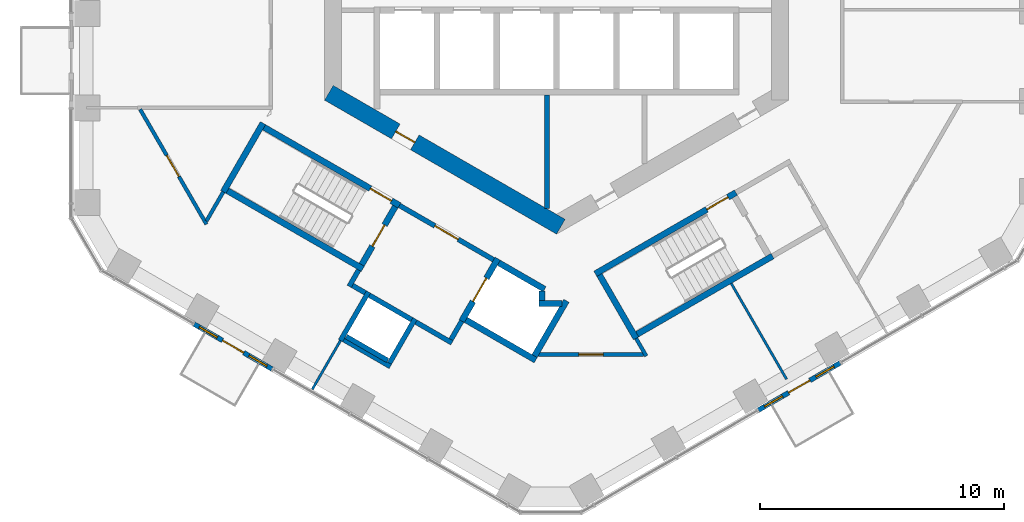
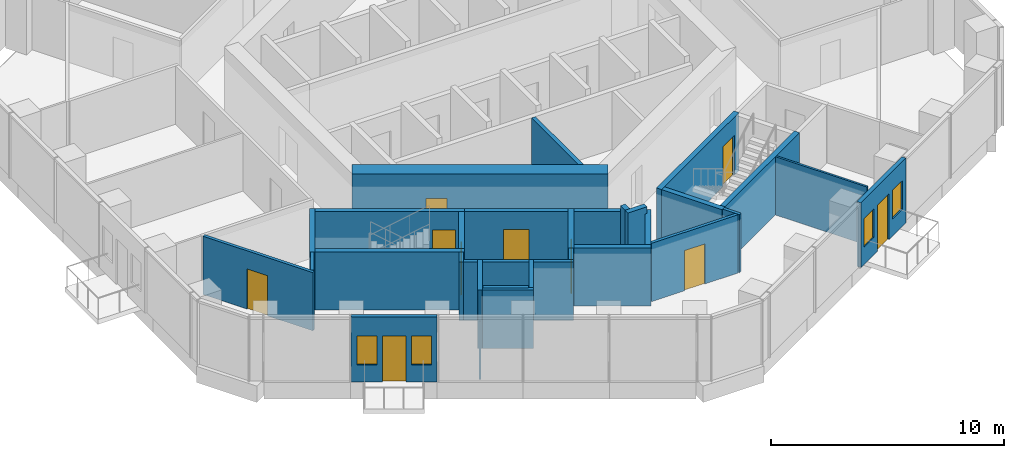
# One storey, part 13 of 20: 33 walls, 10 doors, 4 windows, 14 openings.
"""IFC4 building model written with IfcOpenShell, lengths in metres."""

from ifc_helpers import new_model, si_unit, direction, frame, frame_2d, origin, place, context, subcontext, project, spatial, rectangle, extrude, material, layer, layer_set, type_object, element, fill, save


model = new_model("IFC4")

# Units and contexts
model_context = context("Model", 3, precision=1e-05, world=origin(), true_north=direction((0.0, 1.0)))
body_context = subcontext(model_context, "Body", "Model", "MODEL_VIEW")
ifc_project = project(units=[si_unit("LENGTHUNIT", "METRE"), si_unit("AREAUNIT", "SQUARE_METRE"), si_unit("VOLUMEUNIT", "CUBIC_METRE"), si_unit("PLANEANGLEUNIT", "RADIAN"), si_unit("MASSUNIT", "GRAM", prefix="KILO")], contexts=[model_context])

# Site, building, storey
site_placement = place(None, origin())
site = spatial("IfcSite", under=ifc_project, at=site_placement, CompositionType="ELEMENT")
building_placement = place(site_placement, origin())
building = spatial("IfcBuilding", under=site, at=building_placement, Name="Ayvan Gate Tower", CompositionType="ELEMENT")
storey_placement = place(building_placement, frame((0.0, 0.0, 96.699951171875)))
storey = spatial("IfcBuildingStorey", under=building, at=storey_placement, Name="L25", CompositionType="ELEMENT", Elevation=96.699951171875)

# Wall, openings, door, windows
ifc_material_1 = material(Name="Insulated metal panel wall")
ifc_layer_1 = layer(ifc_material_1, 0.199951171875)
ifc_layer_set_1 = layer_set([ifc_layer_1], Name="Insulated metal panel wall")
wall_type_1 = type_object("IfcWallType", Name="Balcony door wall 200", PredefinedType="SOLIDWALL", material=ifc_layer_set_1)
wall_1_placement = place(storey_placement, frame((-14.841064453125, -14.6533203125, 0.0), z_axis=(0.0, 0.0, 1.0), x_axis=(0.866048742478, -0.499959574017, 0.0)))
wall_1 = element("IfcWall", 1, at=wall_1_placement, inside=storey, type_object=wall_type_1, Name="EW:L25:4:1", PredefinedType="SOLIDWALL", context=body_context, shape_type="SweptSolid", body=[
    extrude(rectangle(XDim=3.683837890625, YDim=0.199951171875, at=frame_2d((1.841796875, 0.0))), origin(), (0.0, 0.0, 1.0), 3.400146484375),
])
opening_1_placement = place(wall_1_placement, frame((1.342041015625, 0.0, 0.0)))
opening_1 = element("IfcOpeningElement", 2, at=opening_1_placement, cuts=wall_1, Name="Opening L25-D94", PredefinedType="OPENING", context=body_context, shape_type="SweptSolid", body=[
    extrude(rectangle(XDim=1.0, YDim=2.39990234375, at=frame_2d((0.5, 1.199951171875))), frame((0.0, 0.10986328125, 0.0), z_axis=(0.0, -1.0, 0.0), x_axis=(1.0, 0.0, 0.0)), (0.0, 0.0, 1.0), 0.219970703125),
])
opening_2_placement = place(wall_1_placement, frame((0.24609375, 0.0, 0.89990234375)))
opening_2 = element("IfcOpeningElement", 3, at=opening_2_placement, cuts=wall_1, Name="Opening W-B2", PredefinedType="OPENING", context=body_context, shape_type="SweptSolid", body=[
    extrude(rectangle(XDim=0.85009765625, YDim=1.5, at=frame_2d((0.425048828125, 0.75))), frame((0.0, 0.10986328125, 0.0), z_axis=(0.0, -1.0, 0.0), x_axis=(1.0, 0.0, 0.0)), (0.0, 0.0, 1.0), 0.219970703125),
])
opening_3_placement = place(wall_1_placement, frame((2.587890625, 0.0, 0.89990234375)))
opening_3 = element("IfcOpeningElement", 4, at=opening_3_placement, cuts=wall_1, Name="Opening W-B2", PredefinedType="OPENING", context=body_context, shape_type="SweptSolid", body=[
    extrude(rectangle(XDim=0.85009765625, YDim=1.5, at=frame_2d((0.425048828125, 0.75))), frame((0.0, 0.10986328125, 0.0), z_axis=(0.0, -1.0, 0.0), x_axis=(1.0, 0.0, 0.0)), (0.0, 0.0, 1.0), 0.219970703125),
])
ifc_material_2 = material(Name="Bronze anodised aluminium and clear glass", Category="aluminium")
door_type_1 = type_object("IfcDoorType", Name="Balcony door D-B", OperationType="SINGLE_SWING_RIGHT", PredefinedType="DOOR", material=ifc_material_2)
door_1_placement = place(opening_1_placement, origin())
door_1 = element("IfcDoor", 5, at=door_1_placement, inside=storey, type_object=door_type_1, Name="Balcony door BAL-L25-4", OperationType="SINGLE_SWING_RIGHT", OverallHeight=2.39990234375, OverallWidth=1.0, PredefinedType="DOOR", context=body_context, shape_type="SweptSolid", body=[
    extrude(rectangle(XDim=1.0, YDim=2.39990234375, at=frame_2d((0.5, 1.199951171875))), frame((0.0, 0.02490234375, 0.0), z_axis=(0.0, -1.0, 0.0), x_axis=(1.0, 0.0, 0.0)), (0.0, 0.0, 1.0), 0.050048828125),
])
fill(opening_1, door_1)
window_type = type_object("IfcWindowType", Name="Balcony side light W-B Z2", PartitioningType="SINGLE_PANEL", PredefinedType="WINDOW", material=ifc_material_2)
window_1_placement = place(opening_2_placement, origin())
window_1 = element("IfcWindow", 6, at=window_1_placement, inside=storey, type_object=window_type, Name="Balcony side light BAL-L25-4.1", OverallHeight=1.5, OverallWidth=0.85009765625, PartitioningType="SINGLE_PANEL", PredefinedType="WINDOW", context=body_context, shape_type="SweptSolid", body=[
    extrude(rectangle(XDim=0.85009765625, YDim=1.5, at=frame_2d((0.425048828125, 0.75))), frame((0.0, 0.030029296875, 0.0), z_axis=(0.0, -1.0, 0.0), x_axis=(1.0, 0.0, 0.0)), (0.0, 0.0, 1.0), 0.06005859375),
])
fill(opening_2, window_1)
window_2_placement = place(opening_3_placement, origin())
window_2 = element("IfcWindow", 7, at=window_2_placement, inside=storey, type_object=window_type, Name="Balcony side light BAL-L25-4.2", OverallHeight=1.5, OverallWidth=0.85009765625, PartitioningType="SINGLE_PANEL", PredefinedType="WINDOW", context=body_context, shape_type="SweptSolid", body=[
    extrude(rectangle(XDim=0.85009765625, YDim=1.5, at=frame_2d((0.425048828125, 0.75))), frame((0.0, 0.030029296875, 0.0), z_axis=(0.0, -1.0, 0.0), x_axis=(1.0, 0.0, 0.0)), (0.0, 0.0, 1.0), 0.06005859375),
])
fill(opening_3, window_2)

wall_2_placement = place(storey_placement, frame((8.261474609375, -18.177734375, 0.0), z_axis=(0.0, 0.0, 1.0), x_axis=(0.866040571269, 0.499973728225, 0.0)))
wall_2 = element("IfcWall", 8, at=wall_2_placement, inside=storey, type_object=wall_type_1, Name="EW:L25:5:2", PredefinedType="SOLIDWALL", context=body_context, shape_type="SweptSolid", body=[
    extrude(rectangle(XDim=3.868896484375, YDim=0.199951171875, at=frame_2d((1.9345703125, 0.0))), origin(), (0.0, 0.0, 1.0), 3.400146484375),
])
opening_4_placement = place(wall_2_placement, frame((1.4345703125, 0.0, 0.0)))
opening_4 = element("IfcOpeningElement", 9, at=opening_4_placement, cuts=wall_2, Name="Opening L25-D95", PredefinedType="OPENING", context=body_context, shape_type="SweptSolid", body=[
    extrude(rectangle(XDim=1.0, YDim=2.39990234375, at=frame_2d((0.5, 1.199951171875))), frame((0.0, 0.10986328125, 0.0), z_axis=(0.0, -1.0, 0.0), x_axis=(1.0, 0.0, 0.0)), (0.0, 0.0, 1.0), 0.219970703125),
])
opening_5_placement = place(wall_2_placement, frame((0.292236328125, 0.0, 0.89990234375)))
opening_5 = element("IfcOpeningElement", 10, at=opening_5_placement, cuts=wall_2, Name="Opening W-B2", PredefinedType="OPENING", context=body_context, shape_type="SweptSolid", body=[
    extrude(rectangle(XDim=0.85009765625, YDim=1.5, at=frame_2d((0.425048828125, 0.75))), frame((0.0, 0.10986328125, 0.0), z_axis=(0.0, -1.0, 0.0), x_axis=(1.0, 0.0, 0.0)), (0.0, 0.0, 1.0), 0.219970703125),
])
opening_6_placement = place(wall_2_placement, frame((2.726806640625, 0.0, 0.89990234375)))
opening_6 = element("IfcOpeningElement", 11, at=opening_6_placement, cuts=wall_2, Name="Opening W-B2", PredefinedType="OPENING", context=body_context, shape_type="SweptSolid", body=[
    extrude(rectangle(XDim=0.85009765625, YDim=1.5, at=frame_2d((0.425048828125, 0.75))), frame((0.0, 0.10986328125, 0.0), z_axis=(0.0, -1.0, 0.0), x_axis=(1.0, 0.0, 0.0)), (0.0, 0.0, 1.0), 0.219970703125),
])
door_2_placement = place(opening_4_placement, origin())
door_2 = element("IfcDoor", 12, at=door_2_placement, inside=storey, type_object=door_type_1, Name="Balcony door BAL-L25-5", OperationType="SINGLE_SWING_RIGHT", OverallHeight=2.39990234375, OverallWidth=1.0, PredefinedType="DOOR", context=body_context, shape_type="SweptSolid", body=[
    extrude(rectangle(XDim=1.0, YDim=2.39990234375, at=frame_2d((0.5, 1.199951171875))), frame((0.0, 0.02490234375, 0.0), z_axis=(0.0, -1.0, 0.0), x_axis=(1.0, 0.0, 0.0)), (0.0, 0.0, 1.0), 0.050048828125),
])
fill(opening_4, door_2)
window_3_placement = place(opening_5_placement, origin())
window_3 = element("IfcWindow", 13, at=window_3_placement, inside=storey, type_object=window_type, Name="Balcony side light BAL-L25-5.1", OverallHeight=1.5, OverallWidth=0.85009765625, PartitioningType="SINGLE_PANEL", PredefinedType="WINDOW", context=body_context, shape_type="SweptSolid", body=[
    extrude(rectangle(XDim=0.85009765625, YDim=1.5, at=frame_2d((0.425048828125, 0.75))), frame((0.0, 0.030029296875, 0.0), z_axis=(0.0, -1.0, 0.0), x_axis=(1.0, 0.0, 0.0)), (0.0, 0.0, 1.0), 0.06005859375),
])
fill(opening_5, window_3)
window_4_placement = place(opening_6_placement, origin())
window_4 = element("IfcWindow", 14, at=window_4_placement, inside=storey, type_object=window_type, Name="Balcony side light BAL-L25-5.2", OverallHeight=1.5, OverallWidth=0.85009765625, PartitioningType="SINGLE_PANEL", PredefinedType="WINDOW", context=body_context, shape_type="SweptSolid", body=[
    extrude(rectangle(XDim=0.85009765625, YDim=1.5, at=frame_2d((0.425048828125, 0.75))), frame((0.0, 0.030029296875, 0.0), z_axis=(0.0, -1.0, 0.0), x_axis=(1.0, 0.0, 0.0)), (0.0, 0.0, 1.0), 0.06005859375),
])
fill(opening_6, window_4)

# Wall, opening, door
ifc_material_3 = material(Name="Concrete C70/85", Category="concrete")
ifc_layer_2 = layer(ifc_material_3, 0.699951171875)
ifc_layer_set_2 = layer_set([ifc_layer_2], Name="Concrete C70/85")
wall_type_2 = type_object("IfcWallType", Name="Core wall 700 C70/85", PredefinedType="SHEAR", material=ifc_layer_set_2)
wall_3_placement = place(storey_placement, frame((-9.324951171875, -5.181640625, 0.0), z_axis=(0.0, 0.0, 1.0), x_axis=(0.866023993627, -0.500002442456, 0.0)))
wall_3 = element("IfcWall", 15, at=wall_3_placement, inside=storey, type_object=wall_type_2, Name="CORE-L25-4", PredefinedType="SHEAR", context=body_context, shape_type="SweptSolid", body=[
    extrude(rectangle(XDim=10.9697265625, YDim=0.699951171875, at=frame_2d((5.48486328125, 0.0))), origin(), (0.0, 0.0, 1.0), 3.400146484375),
])
opening_7_placement = place(wall_3_placement, frame((3.16357421875, 0.0, 0.0)))
opening_7 = element("IfcOpeningElement", 16, at=opening_7_placement, cuts=wall_3, Name="Opening L25-D99", PredefinedType="OPENING", context=body_context, shape_type="SweptSolid", body=[
    extrude(rectangle(XDim=0.89990234375, YDim=2.10009765625, at=frame_2d((0.449951171875, 1.050048828125))), frame((0.0, 0.35986328125, 0.0), z_axis=(0.0, -1.0, 0.0), x_axis=(1.0, 0.0, 0.0)), (0.0, 0.0, 1.0), 0.719970703125),
])
ifc_material_4 = material(Name="Timber door leaf", Category="wood")
door_type_2 = type_object("IfcDoorType", Name="DT-900", OperationType="NOTDEFINED", PredefinedType="DOOR", material=ifc_material_4)
door_3_placement = place(opening_7_placement, origin())
door_3 = element("IfcDoor", 17, at=door_3_placement, inside=storey, type_object=door_type_2, Name="CD-L25-99", OperationType="SINGLE_SWING_RIGHT", OverallHeight=2.10009765625, OverallWidth=0.89990234375, PredefinedType="DOOR", context=body_context, shape_type="SweptSolid", body=[
    extrude(rectangle(XDim=0.89990234375, YDim=2.10009765625, at=frame_2d((0.449951171875, 1.050048828125))), frame((0.0, 0.02490234375, 0.0), z_axis=(0.0, -1.0, 0.0), x_axis=(1.0, 0.0, 0.0)), (0.0, 0.0, 1.0), 0.050048828125),
])
fill(opening_7, door_3)

ifc_material_5 = material(Name="Plasterboard on steel stud", Category="steel")
ifc_layer_3 = layer(ifc_material_5, 0.14990234375)
ifc_layer_set_3 = layer_set([ifc_layer_3], Name="Plasterboard on steel stud")
wall_type_3 = type_object("IfcWallType", Name="WT-CORR-150", PredefinedType="PARTITIONING", material=ifc_layer_set_3)
wall_4_placement = place(storey_placement, frame((-14.337890625, -10.563720703125, 0.0), z_axis=(0.0, 0.0, 1.0), x_axis=(-0.499985629884, 0.866033700216, 0.0)))
wall_4 = element("IfcWall", 18, at=wall_4_placement, inside=storey, type_object=wall_type_3, Name="IW-L25-005", PredefinedType="PARTITIONING", context=body_context, shape_type="SweptSolid", body=[
    extrude(rectangle(XDim=5.433837890625, YDim=0.14990234375, at=frame_2d((2.716796875, 0.0))), origin(), (0.0, 0.0, 1.0), 3.050048828125),
])
opening_8_placement = place(wall_4_placement, frame((2.25439453125, 0.0, 0.0)))
opening_8 = element("IfcOpeningElement", 19, at=opening_8_placement, cuts=wall_4, Name="Opening L25-D25", PredefinedType="OPENING", context=body_context, shape_type="SweptSolid", body=[
    extrude(rectangle(XDim=1.0, YDim=2.10009765625, at=frame_2d((0.5, 1.050048828125))), frame((0.0, 0.0849609375, 0.0), z_axis=(0.0, -1.0, 0.0), x_axis=(1.0, 0.0, 0.0)), (0.0, 0.0, 1.0), 0.169921875),
])
door_type_3 = type_object("IfcDoorType", Name="DT-1000", OperationType="NOTDEFINED", PredefinedType="DOOR", material=ifc_material_4)
door_4_placement = place(opening_8_placement, origin())
door_4 = element("IfcDoor", 20, at=door_4_placement, inside=storey, type_object=door_type_3, Name="ID-L25-025", OperationType="SINGLE_SWING_RIGHT", OverallHeight=2.10009765625, OverallWidth=1.0, PredefinedType="DOOR", context=body_context, shape_type="SweptSolid", body=[
    extrude(rectangle(XDim=1.0, YDim=2.10009765625, at=frame_2d((0.5, 1.050048828125))), frame((0.0, 0.02490234375, 0.0), z_axis=(0.0, -1.0, 0.0), x_axis=(1.0, 0.0, 0.0)), (0.0, 0.0, 1.0), 0.050048828125),
])
fill(opening_8, door_4)

# Walls
wall_5_placement = place(storey_placement, frame((-13.647705078125, -9.23876953125, 0.0), z_axis=(0.0, 0.0, 1.0), x_axis=(-0.500115484592, -0.865958718457, 0.0)))
element("IfcWall", 21, at=wall_5_placement, inside=storey, type_object=wall_type_3, Name="IW-L25-007", PredefinedType="PARTITIONING", context=body_context, shape_type="SweptSolid", body=[
    extrude(rectangle(XDim=1.380126953125, YDim=0.14990234375, at=frame_2d((0.68994140625, 0.0))), origin(), (0.0, 0.0, 1.0), 3.050048828125),
])
wall_6_placement = place(storey_placement, frame((3.255615234375, -15.23876953125, 0.0), z_axis=(0.0, 0.0, 1.0), x_axis=(0.499840262897, -0.866117608404, 0.0)))
element("IfcWall", 22, at=wall_6_placement, inside=storey, type_object=wall_type_3, Name="IW-L25-064", PredefinedType="PARTITIONING", context=body_context, shape_type="SweptSolid", body=[
    extrude(rectangle(XDim=0.837158203125, YDim=0.14990234375, at=frame_2d((0.41845703125, 0.0))), origin(), (0.0, 0.0, 1.0), 3.050048828125),
])

# Wall, opening, door
wall_7_placement = place(storey_placement, frame((3.5615234375, -15.898681640625, 0.0), z_axis=(0.0, 0.0, 1.0), x_axis=(-1.0, 0.0, 0.0)))
wall_7 = element("IfcWall", 23, at=wall_7_placement, inside=storey, type_object=wall_type_3, Name="IW-L25-068", PredefinedType="PARTITIONING", context=body_context, shape_type="SweptSolid", body=[
    extrude(rectangle(XDim=4.302001953125, YDim=0.14990234375, at=frame_2d((2.15087890625, 0.0))), origin(), (0.0, 0.0, 1.0), 3.050048828125),
])
opening_9_placement = place(wall_7_placement, frame((1.65087890625, 0.0, 0.0)))
opening_9 = element("IfcOpeningElement", 24, at=opening_9_placement, cuts=wall_7, Name="Opening L25-D26", PredefinedType="OPENING", context=body_context, shape_type="SweptSolid", body=[
    extrude(rectangle(XDim=1.0, YDim=2.10009765625, at=frame_2d((0.5, 1.050048828125))), frame((0.0, 0.0849609375, 0.0), z_axis=(0.0, -1.0, 0.0), x_axis=(1.0, 0.0, 0.0)), (0.0, 0.0, 1.0), 0.169921875),
])
door_5_placement = place(opening_9_placement, origin())
door_5 = element("IfcDoor", 25, at=door_5_placement, inside=storey, type_object=door_type_3, Name="ID-L25-026", OperationType="SINGLE_SWING_LEFT", OverallHeight=2.10009765625, OverallWidth=1.0, PredefinedType="DOOR", context=body_context, shape_type="SweptSolid", body=[
    extrude(rectangle(XDim=1.0, YDim=2.10009765625, at=frame_2d((0.5, 1.050048828125))), frame((0.0, 0.02490234375, 0.0), z_axis=(0.0, -1.0, 0.0), x_axis=(1.0, 0.0, 0.0)), (0.0, 0.0, 1.0), 0.050048828125),
])
fill(opening_9, door_5)

# Walls
ifc_layer_4 = layer(ifc_material_5, 0.10009765625)
ifc_layer_set_4 = layer_set([ifc_layer_4], Name="Plasterboard on steel stud")
wall_type_4 = type_object("IfcWallType", Name="WT-PART-100", PredefinedType="PARTITIONING", material=ifc_layer_set_4)
wall_8_placement = place(storey_placement, frame((-8.85009765625, -15.32861328125, 0.0), z_axis=(0.0, 0.0, 1.0), x_axis=(-0.500009533716, -0.866019899421, 0.0)))
element("IfcWall", 26, at=wall_8_placement, inside=storey, type_object=wall_type_4, Name="IW-L25-016", PredefinedType="PARTITIONING", context=body_context, shape_type="SweptSolid", body=[
    extrude(rectangle(XDim=2.306640625, YDim=0.10009765625, at=frame_2d((1.1533203125, 0.0))), origin(), (0.0, 0.0, 1.0), 3.050048828125),
])
wall_9_placement = place(storey_placement, frame((7.152587890625, -12.98876953125, 0.0), z_axis=(0.0, 0.0, 1.0), x_axis=(0.500000914898, -0.866024875567, 0.0)))
element("IfcWall", 27, at=wall_9_placement, inside=storey, type_object=wall_type_4, Name="IW-L25-076", PredefinedType="PARTITIONING", context=body_context, shape_type="SweptSolid", body=[
    extrude(rectangle(XDim=4.5283203125, YDim=0.10009765625, at=frame_2d((2.26416015625, 0.0))), origin(), (0.0, 0.0, 1.0), 3.050048828125),
])
ifc_layer_5 = layer(ifc_material_5, 0.199951171875)
ifc_layer_set_5 = layer_set([ifc_layer_5], Name="Plasterboard on steel stud")
wall_type_5 = type_object("IfcWallType", Name="WT-PLUMB-200", PredefinedType="PLUMBINGWALL", material=ifc_layer_set_5)
wall_10_placement = place(storey_placement, frame((-8.85009765625, -15.32861328125, 0.0), z_axis=(0.0, 0.0, 1.0), x_axis=(0.500077740698, 0.865980515519, 0.0)))
element("IfcWall", 28, at=wall_10_placement, inside=storey, type_object=wall_type_5, Name="IW-L25-014", PredefinedType="PLUMBINGWALL", context=body_context, shape_type="SweptSolid", body=[
    extrude(rectangle(XDim=2.300048828125, YDim=0.199951171875, at=frame_2d((1.14990234375, 0.0))), origin(), (0.0, 0.0, 1.0), 3.050048828125),
])
wall_11_placement = place(storey_placement, frame((-6.80810546875, -16.39208984375, 0.0), z_axis=(0.0, 0.0, 1.0), x_axis=(-0.866008176907, 0.50002983664, 0.0)))
element("IfcWall", 29, at=wall_11_placement, inside=storey, type_object=wall_type_5, Name="IW-L25-026", PredefinedType="PLUMBINGWALL", context=body_context, shape_type="SweptSolid", body=[
    extrude(rectangle(XDim=2.199951171875, YDim=0.199951171875, at=frame_2d((1.10009765625, 0.0))), origin(), (0.0, 0.0, 1.0), 3.050048828125),
])
wall_12_placement = place(storey_placement, frame((-5.794677734375, -14.436767578125, 0.0), z_axis=(0.0, 0.0, 1.0), x_axis=(-0.500027713859, -0.866009402589, 0.0)))
element("IfcWall", 30, at=wall_12_placement, inside=storey, type_object=wall_type_5, Name="IW-L25-029", PredefinedType="PLUMBINGWALL", context=body_context, shape_type="SweptSolid", body=[
    extrude(rectangle(XDim=2.10009765625, YDim=0.199951171875, at=frame_2d((1.050048828125, 0.0))), origin(), (0.0, 0.0, 1.0), 3.050048828125),
])
wall_13_placement = place(storey_placement, frame((-5.931396484375, -14.473388671875, 0.0), z_axis=(0.0, 0.0, 1.0), x_axis=(-0.866041268327, 0.499972520799, 0.0)))
element("IfcWall", 31, at=wall_13_placement, inside=storey, type_object=wall_type_5, Name="IW-L25-030", PredefinedType="PLUMBINGWALL", context=body_context, shape_type="SweptSolid", body=[
    extrude(rectangle(XDim=2.0, YDim=0.199951171875, at=frame_2d((1.0, 0.0))), origin(), (0.0, 0.0, 1.0), 3.050048828125),
])
wall_14_placement = place(storey_placement, frame((-6.919189453125, -16.144287109375, 0.0), z_axis=(0.0, 0.0, 1.0), x_axis=(-0.866042469362, 0.499970440388, 0.0)))
element("IfcWall", 32, at=wall_14_placement, inside=storey, type_object=wall_type_5, Name="IW-L25-107", PredefinedType="PLUMBINGWALL", context=body_context, shape_type="SweptSolid", body=[
    extrude(rectangle(XDim=1.9599609375, YDim=0.199951171875, at=frame_2d((0.97998046875, 0.0))), origin(), (0.0, 0.0, 1.0), 3.050048828125),
])
ifc_layer_6 = layer(ifc_material_5, 0.199951171875)
ifc_layer_set_6 = layer_set([ifc_layer_6], Name="Plasterboard on steel stud")
wall_type_6 = type_object("IfcWallType", Name="WT-RATED-200", PredefinedType="PARTITIONING", material=ifc_layer_set_6)
wall_15_placement = place(storey_placement, frame((-8.492919921875, -13.110107421875, 0.0), z_axis=(0.0, 0.0, 1.0), x_axis=(0.500067724834, 0.865986299303, 0.0)))
element("IfcWall", 33, at=wall_15_placement, inside=storey, type_object=wall_type_6, Name="IW-L25-017", PredefinedType="PARTITIONING", context=body_context, shape_type="SweptSolid", body=[
    extrude(rectangle(XDim=0.775390625, YDim=0.199951171875, at=frame_2d((0.3876953125, 0.0))), origin(), (0.0, 0.0, 1.0), 3.050048828125),
])
wall_16_placement = place(storey_placement, frame((-7.83642578125, -13.373291015625, 0.0), z_axis=(0.0, 0.0, 1.0), x_axis=(-0.866232998003, 0.499640263761, 0.0)))
element("IfcWall", 34, at=wall_16_placement, inside=storey, type_object=wall_type_6, Name="IW-L25-019", PredefinedType="PARTITIONING", context=body_context, shape_type="SweptSolid", body=[
    extrude(rectangle(XDim=0.60009765625, YDim=0.199951171875, at=frame_2d((0.300048828125, 0.0))), origin(), (0.0, 0.0, 1.0), 3.050048828125),
])

# Wall, opening, door
wall_17_placement = place(storey_placement, frame((-6.4345703125, -9.794921875, 0.0), z_axis=(0.0, 0.0, 1.0), x_axis=(0.866012907634, -0.500021643343, 0.0)))
wall_17 = element("IfcWall", 35, at=wall_17_placement, inside=storey, type_object=wall_type_6, Name="IW-L25-028", PredefinedType="PARTITIONING", context=body_context, shape_type="SweptSolid", body=[
    extrude(rectangle(XDim=4.449951171875, YDim=0.199951171875, at=frame_2d((2.22509765625, 0.0))), origin(), (0.0, 0.0, 1.0), 3.050048828125),
])
opening_10_placement = place(wall_17_placement, frame((1.675048828125, 0.0, 0.0)))
opening_10 = element("IfcOpeningElement", 36, at=opening_10_placement, cuts=wall_17, Name="Opening L25-D12", PredefinedType="OPENING", context=body_context, shape_type="SweptSolid", body=[
    extrude(rectangle(XDim=1.10009765625, YDim=2.10009765625, at=frame_2d((0.550048828125, 1.050048828125))), frame((0.0, 0.10986328125, 0.0), z_axis=(0.0, -1.0, 0.0), x_axis=(1.0, 0.0, 0.0)), (0.0, 0.0, 1.0), 0.219970703125),
])
door_type_4 = type_object("IfcDoorType", Name="DT-1100", OperationType="NOTDEFINED", PredefinedType="DOOR", material=ifc_material_4)
door_6_placement = place(opening_10_placement, origin())
door_6 = element("IfcDoor", 37, at=door_6_placement, inside=storey, type_object=door_type_4, Name="ID-L25-012", OperationType="SINGLE_SWING_LEFT", OverallHeight=2.10009765625, OverallWidth=1.10009765625, PredefinedType="DOOR", context=body_context, shape_type="SweptSolid", body=[
    extrude(rectangle(XDim=1.10009765625, YDim=2.10009765625, at=frame_2d((0.550048828125, 1.050048828125))), frame((0.0, 0.02490234375, 0.0), z_axis=(0.0, -1.0, 0.0), x_axis=(1.0, 0.0, 0.0)), (0.0, 0.0, 1.0), 0.050048828125),
])
fill(opening_10, door_6)

# Walls
wall_18_placement = place(storey_placement, frame((-4.285888671875, -15.42333984375, 0.0), z_axis=(0.0, 0.0, 1.0), x_axis=(-0.866025371046, 0.500000056704, 0.0)))
element("IfcWall", 38, at=wall_18_placement, inside=storey, type_object=wall_type_6, Name="IW-L25-035", PredefinedType="PARTITIONING", context=body_context, shape_type="SweptSolid", body=[
    extrude(rectangle(XDim=1.7001953125, YDim=0.199951171875, at=frame_2d((0.85009765625, 0.0))), origin(), (0.0, 0.0, 1.0), 3.050048828125),
])
wall_19_placement = place(storey_placement, frame((-3.885009765625, -14.52880859375, 0.0), z_axis=(0.0, 0.0, 1.0), x_axis=(-0.499859285417, -0.866106630146, 0.0)))
element("IfcWall", 39, at=wall_19_placement, inside=storey, type_object=wall_type_6, Name="IW-L25-037", PredefinedType="PARTITIONING", context=body_context, shape_type="SweptSolid", body=[
    extrude(rectangle(XDim=0.875244140625, YDim=0.199951171875, at=frame_2d((0.4375, 0.0))), origin(), (0.0, 0.0, 1.0), 3.050048828125),
])
wall_20_placement = place(storey_placement, frame((-0.39990234375, -5.27490234375, 0.0), z_axis=(0.0, 0.0, 1.0), x_axis=(0.0, -1.0, 0.0)))
element("IfcWall", 40, at=wall_20_placement, inside=storey, type_object=wall_type_6, Name="IW-L25-050", PredefinedType="PARTITIONING", context=body_context, shape_type="SweptSolid", body=[
    extrude(rectangle(XDim=4.655517578125, YDim=0.199951171875, at=frame_2d((2.32763671875, 0.0))), origin(), (0.0, 0.0, 1.0), 3.050048828125),
])
ifc_material_6 = material(Name="Concrete C50/60", Category="concrete")
ifc_layer_7 = layer(ifc_material_6, 0.25)
ifc_layer_set_7 = layer_set([ifc_layer_7], Name="Concrete C50/60")
wall_type_7 = type_object("IfcWallType", Name="WT-RC-250", PredefinedType="SHEAR", material=ifc_layer_set_7)
wall_21_placement = place(storey_placement, frame((-13.64794921875, -9.23876953125, 0.0), z_axis=(0.0, 0.0, 1.0), x_axis=(0.500017246033, 0.866015446554, 0.0)))
element("IfcWall", 41, at=wall_21_placement, inside=storey, type_object=wall_type_7, Name="IW-L25-006", PredefinedType="SHEAR", context=body_context, shape_type="SweptSolid", body=[
    extrude(rectangle(XDim=3.25, YDim=0.25, at=frame_2d((1.625, 0.0))), origin(), (0.0, 0.0, 1.0), 3.050048828125),
])

# Wall, opening, door
wall_22_placement = place(storey_placement, frame((-11.97705078125, -6.594970703125, 0.0), z_axis=(0.0, 0.0, 1.0), x_axis=(0.866025499775, -0.499999833739, 0.0)))
wall_22 = element("IfcWall", 42, at=wall_22_placement, inside=storey, type_object=wall_type_7, Name="IW-L25-009", PredefinedType="SHEAR", context=body_context, shape_type="SweptSolid", body=[
    extrude(rectangle(XDim=6.39990234375, YDim=0.25, at=frame_2d((3.199951171875, 0.0))), origin(), (0.0, 0.0, 1.0), 3.050048828125),
])
opening_11_placement = place(wall_22_placement, frame((5.02490234375, 0.0, 0.0)))
opening_11 = element("IfcOpeningElement", 43, at=opening_11_placement, cuts=wall_22, Name="Opening L25-D10", PredefinedType="OPENING", context=body_context, shape_type="SweptSolid", body=[
    extrude(rectangle(XDim=1.0, YDim=2.10009765625, at=frame_2d((0.5, 1.050048828125))), frame((0.0, 0.135009765625, 0.0), z_axis=(0.0, -1.0, 0.0), x_axis=(1.0, 0.0, 0.0)), (0.0, 0.0, 1.0), 0.27001953125),
])
door_7_placement = place(opening_11_placement, origin())
door_7 = element("IfcDoor", 44, at=door_7_placement, inside=storey, type_object=door_type_3, Name="ID-L25-010", OperationType="SINGLE_SWING_LEFT", OverallHeight=2.10009765625, OverallWidth=1.0, PredefinedType="DOOR", context=body_context, shape_type="SweptSolid", body=[
    extrude(rectangle(XDim=1.0, YDim=2.10009765625, at=frame_2d((0.5, 1.050048828125))), frame((0.0, 0.02490234375, 0.0), z_axis=(0.0, -1.0, 0.0), x_axis=(1.0, 0.0, 0.0)), (0.0, 0.0, 1.0), 0.050048828125),
])
fill(opening_11, door_7)

# Wall
wall_23_placement = place(storey_placement, frame((-7.9345703125, -12.39306640625, 0.0), z_axis=(0.0, 0.0, 1.0), x_axis=(-0.866025499775, 0.499999833739, 0.0)))
element("IfcWall", 45, at=wall_23_placement, inside=storey, type_object=wall_type_7, Name="IW-L25-018", PredefinedType="SHEAR", context=body_context, shape_type="SweptSolid", body=[
    extrude(rectangle(XDim=6.39990234375, YDim=0.25, at=frame_2d((3.199951171875, 0.0))), origin(), (0.0, 0.0, 1.0), 3.050048828125),
])

# Wall, opening, door
wall_24_placement = place(storey_placement, frame((-6.605224609375, -9.8408203125, 0.0), z_axis=(0.0, 0.0, 1.0), x_axis=(-0.499996545922, -0.866027397988, 0.0)))
wall_24 = element("IfcWall", 46, at=wall_24_placement, inside=storey, type_object=wall_type_7, Name="IW-L25-027", PredefinedType="SHEAR", context=body_context, shape_type="SweptSolid", body=[
    extrude(rectangle(XDim=2.75, YDim=0.25, at=frame_2d((1.375, 0.0))), origin(), (0.0, 0.0, 1.0), 3.050048828125),
])
opening_12_placement = place(wall_24_placement, frame((0.875, 0.0, 0.0)))
opening_12 = element("IfcOpeningElement", 47, at=opening_12_placement, cuts=wall_24, Name="Opening L25-D11", PredefinedType="OPENING", context=body_context, shape_type="SweptSolid", body=[
    extrude(rectangle(XDim=1.0, YDim=2.10009765625, at=frame_2d((0.5, 1.050048828125))), frame((0.0, 0.135009765625, 0.0), z_axis=(0.0, -1.0, 0.0), x_axis=(1.0, 0.0, 0.0)), (0.0, 0.0, 1.0), 0.27001953125),
])
door_8_placement = place(opening_12_placement, origin())
door_8 = element("IfcDoor", 48, at=door_8_placement, inside=storey, type_object=door_type_3, Name="ID-L25-011", OperationType="SINGLE_SWING_RIGHT", OverallHeight=2.10009765625, OverallWidth=1.0, PredefinedType="DOOR", context=body_context, shape_type="SweptSolid", body=[
    extrude(rectangle(XDim=1.0, YDim=2.10009765625, at=frame_2d((0.5, 1.050048828125))), frame((0.0, 0.02490234375, 0.0), z_axis=(0.0, -1.0, 0.0), x_axis=(1.0, 0.0, 0.0)), (0.0, 0.0, 1.0), 0.050048828125),
])
fill(opening_12, door_8)

wall_25_placement = place(storey_placement, frame((-2.409912109375, -11.97412109375, 0.0), z_axis=(0.0, 0.0, 1.0), x_axis=(-0.500001826776, -0.866024349092, 0.0)))
wall_25 = element("IfcWall", 49, at=wall_25_placement, inside=storey, type_object=wall_type_7, Name="IW-L25-041", PredefinedType="SHEAR", context=body_context, shape_type="SweptSolid", body=[
    extrude(rectangle(XDim=2.9501953125, YDim=0.25, at=frame_2d((1.47509765625, 0.0))), origin(), (0.0, 0.0, 1.0), 3.050048828125),
])
opening_13_placement = place(wall_25_placement, frame((0.925048828125, 0.0, 0.0)))
opening_13 = element("IfcOpeningElement", 50, at=opening_13_placement, cuts=wall_25, Name="Opening L25-LD-FF2", PredefinedType="OPENING", context=body_context, shape_type="SweptSolid", body=[
    extrude(rectangle(XDim=1.10009765625, YDim=2.10009765625, at=frame_2d((0.550048828125, 1.050048828125))), frame((0.0, 0.135009765625, 0.0), z_axis=(0.0, -1.0, 0.0), x_axis=(1.0, 0.0, 0.0)), (0.0, 0.0, 1.0), 0.27001953125),
])
ifc_material_7 = material(Name="Stainless steel landing door", Category="steel")
door_type_5 = type_object("IfcDoorType", Name="DT-LANDING-1100", OperationType="SLIDING_TO_LEFT", PredefinedType="DOOR", material=ifc_material_7)
door_9_placement = place(opening_13_placement, origin())
door_9 = element("IfcDoor", 51, at=door_9_placement, inside=storey, type_object=door_type_5, Name="ID-L25-013", OperationType="SLIDING_TO_LEFT", OverallHeight=2.10009765625, OverallWidth=1.10009765625, PredefinedType="DOOR", context=body_context, shape_type="SweptSolid", body=[
    extrude(rectangle(XDim=1.10009765625, YDim=2.10009765625, at=frame_2d((0.550048828125, 1.050048828125))), frame((0.0, 0.02490234375, 0.0), z_axis=(0.0, -1.0, 0.0), x_axis=(1.0, 0.0, 0.0)), (0.0, 0.0, 1.0), 0.050048828125),
])
fill(opening_13, door_9)

# Walls
wall_26_placement = place(storey_placement, frame((-2.3642578125, -12.14501953125, 0.0), z_axis=(0.0, 0.0, 1.0), x_axis=(0.86603892542, -0.499976579108, 0.0)))
element("IfcWall", 52, at=wall_26_placement, inside=storey, type_object=wall_type_7, Name="IW-L25-042", PredefinedType="SHEAR", context=body_context, shape_type="SweptSolid", body=[
    extrude(rectangle(XDim=2.162109375, YDim=0.25, at=frame_2d((1.0810546875, 0.0))), origin(), (0.0, 0.0, 1.0), 3.050048828125),
])
wall_27_placement = place(storey_placement, frame((-0.8564453125, -16.13330078125, 0.0), z_axis=(0.0, 0.0, 1.0), x_axis=(-0.866021716278, 0.500006386895, 0.0)))
element("IfcWall", 53, at=wall_27_placement, inside=storey, type_object=wall_type_7, Name="IW-L25-046", PredefinedType="SHEAR", context=body_context, shape_type="SweptSolid", body=[
    extrude(rectangle(XDim=3.2998046875, YDim=0.25, at=frame_2d((1.64990234375, 0.0))), origin(), (0.0, 0.0, 1.0), 3.050048828125),
])
wall_28_placement = place(storey_placement, frame((-0.902099609375, -15.96240234375, 0.0), z_axis=(0.0, 0.0, 1.0), x_axis=(0.499981517636, 0.866036074319, 0.0)))
element("IfcWall", 54, at=wall_28_placement, inside=storey, type_object=wall_type_7, Name="IW-L25-047", PredefinedType="SHEAR", context=body_context, shape_type="SweptSolid", body=[
    extrude(rectangle(XDim=2.6103515625, YDim=0.25, at=frame_2d((1.30517578125, 0.0))), origin(), (0.0, 0.0, 1.0), 3.050048828125),
])
wall_29_placement = place(storey_placement, frame((-0.72509765625, -13.81005859375, 0.0), z_axis=(0.0, 0.0, 1.0), x_axis=(1.0, 0.0, 0.0)))
element("IfcWall", 55, at=wall_29_placement, inside=storey, type_object=wall_type_7, Name="IW-L25-048", PredefinedType="SHEAR", context=body_context, shape_type="SweptSolid", body=[
    extrude(rectangle(XDim=0.940673828125, YDim=0.25, at=frame_2d((0.47021484375, 0.0))), origin(), (0.0, 0.0, 1.0), 3.400146484375),
])
wall_30_placement = place(storey_placement, frame((-0.60009765625, -13.28857421875, 0.0), z_axis=(0.0, 0.0, 1.0), x_axis=(0.0, -1.0, 0.0)))
element("IfcWall", 56, at=wall_30_placement, inside=storey, type_object=wall_type_7, Name="IW-L25-049", PredefinedType="SHEAR", context=body_context, shape_type="SweptSolid", body=[
    extrude(rectangle(XDim=0.396484375, YDim=0.25, at=frame_2d((0.1982421875, 0.0))), origin(), (0.0, 0.0, 1.0), 3.400146484375),
])

# Wall, opening, door
wall_31_placement = place(storey_placement, frame((1.584716796875, -12.594970703125, 0.0), z_axis=(0.0, 0.0, 1.0), x_axis=(0.866036417653, 0.499980922934, 0.0)))
wall_31 = element("IfcWall", 57, at=wall_31_placement, inside=storey, type_object=wall_type_7, Name="IW-L25-059", PredefinedType="SHEAR", context=body_context, shape_type="SweptSolid", body=[
    extrude(rectangle(XDim=6.650146484375, YDim=0.25, at=frame_2d((3.3251953125, 0.0))), origin(), (0.0, 0.0, 1.0), 3.050048828125),
])
opening_14_placement = place(wall_31_placement, frame((5.27490234375, 0.0, 0.0)))
opening_14 = element("IfcOpeningElement", 58, at=opening_14_placement, cuts=wall_31, Name="Opening L25-D14", PredefinedType="OPENING", context=body_context, shape_type="SweptSolid", body=[
    extrude(rectangle(XDim=1.0, YDim=2.10009765625, at=frame_2d((0.5, 1.050048828125))), frame((0.0, 0.135009765625, 0.0), z_axis=(0.0, -1.0, 0.0), x_axis=(1.0, 0.0, 0.0)), (0.0, 0.0, 1.0), 0.27001953125),
])
door_10_placement = place(opening_14_placement, origin())
door_10 = element("IfcDoor", 59, at=door_10_placement, inside=storey, type_object=door_type_3, Name="ID-L25-014", OperationType="SINGLE_SWING_LEFT", OverallHeight=2.10009765625, OverallWidth=1.0, PredefinedType="DOOR", context=body_context, shape_type="SweptSolid", body=[
    extrude(rectangle(XDim=1.0, YDim=2.10009765625, at=frame_2d((0.5, 1.050048828125))), frame((0.0, 0.02490234375, 0.0), z_axis=(0.0, -1.0, 0.0), x_axis=(1.0, 0.0, 0.0)), (0.0, 0.0, 1.0), 0.050048828125),
])
fill(opening_14, door_10)

# Walls
wall_32_placement = place(storey_placement, frame((3.255615234375, -15.23876953125, 0.0), z_axis=(0.0, 0.0, 1.0), x_axis=(-0.50002537861, 0.866010750942, 0.0)))
element("IfcWall", 60, at=wall_32_placement, inside=storey, type_object=wall_type_7, Name="IW-L25-065", PredefinedType="SHEAR", context=body_context, shape_type="SweptSolid", body=[
    extrude(rectangle(XDim=2.999755859375, YDim=0.25, at=frame_2d((1.5, 0.0))), origin(), (0.0, 0.0, 1.0), 3.050048828125),
])
wall_33_placement = place(storey_placement, frame((3.30126953125, -15.068115234375, 0.0), z_axis=(0.0, 0.0, 1.0), x_axis=(0.866035036182, 0.499983315828, 0.0)))
element("IfcWall", 61, at=wall_33_placement, inside=storey, type_object=wall_type_7, Name="IW-L25-077", PredefinedType="SHEAR", context=body_context, shape_type="SweptSolid", body=[
    extrude(rectangle(XDim=6.400146484375, YDim=0.25, at=frame_2d((3.2001953125, 0.0))), origin(), (0.0, 0.0, 1.0), 3.050048828125),
])

save(model, "model.ifc")
